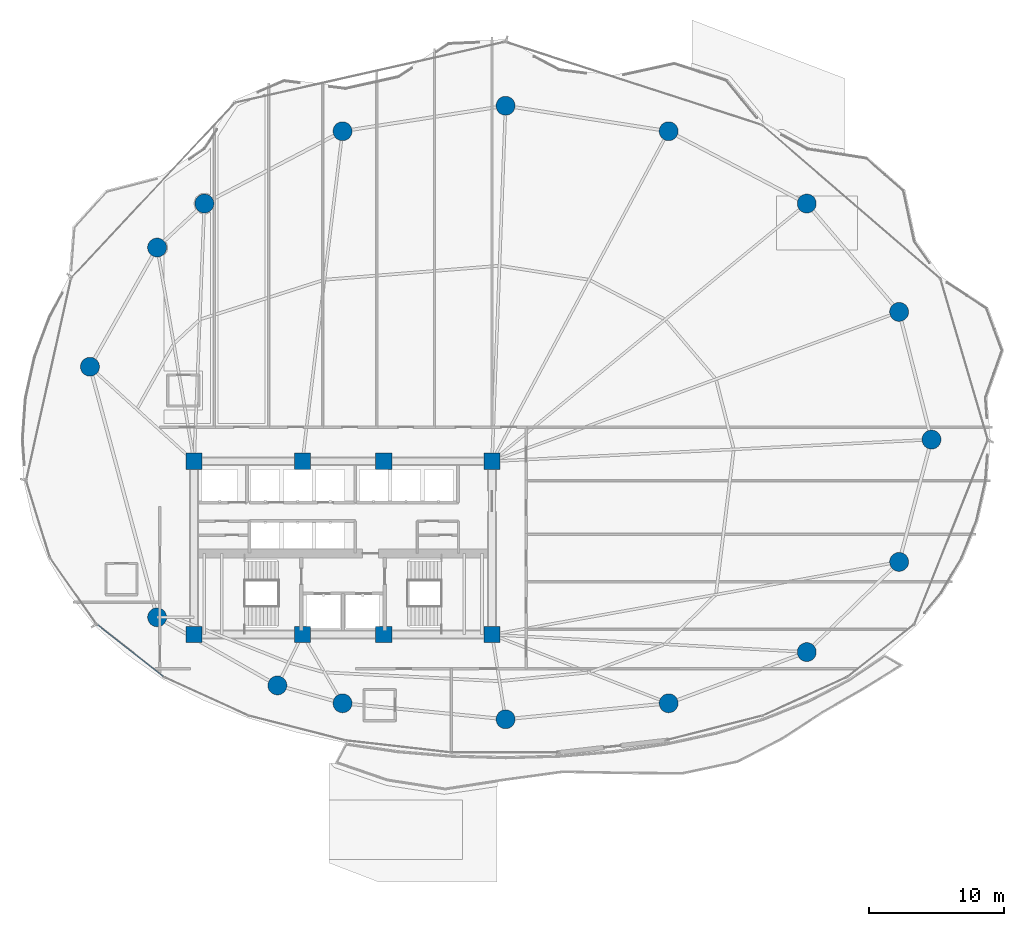
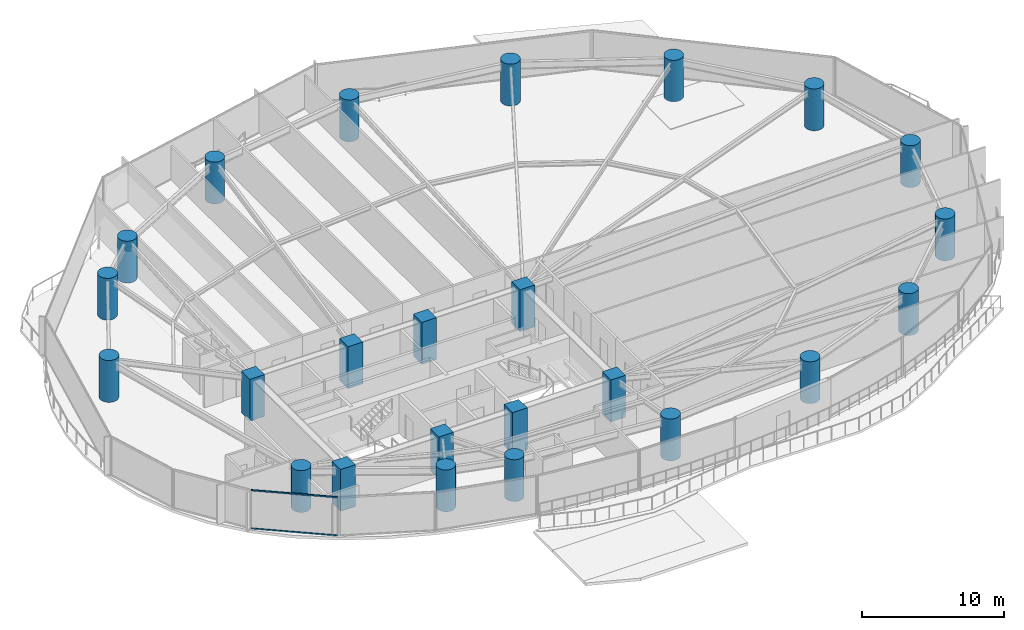
# One storey, part 1 of 32: 24 columns, 2 members, 1 element without a shape of its own.
"""IFC4 building model written with IfcOpenShell, lengths in metres."""

from ifc_helpers import new_model, si_unit, direction, frame, origin, origin_2d, place, context, subcontext, project, spatial, rectangle, hollow_rectangle, circle, extrude, material, layer, layer_set, material_profile, profile_set, type_object, element, aggregate, save


model = new_model("IFC4")

# Units and contexts
model_context = context("Model", 3, precision=1e-05, world=origin(), true_north=direction((0.0, 1.0)))
body_context = subcontext(model_context, "Body", "Model", "MODEL_VIEW")
ifc_project = project(units=[si_unit("LENGTHUNIT", "METRE"), si_unit("AREAUNIT", "SQUARE_METRE"), si_unit("VOLUMEUNIT", "CUBIC_METRE"), si_unit("PLANEANGLEUNIT", "RADIAN"), si_unit("MASSUNIT", "GRAM", prefix="KILO")], contexts=[model_context])

# Site, building, storey
site_placement = place(None, origin())
site = spatial("IfcSite", under=ifc_project, at=site_placement, CompositionType="ELEMENT")
building_placement = place(site_placement, origin())
building = spatial("IfcBuilding", under=site, at=building_placement, Name="Kazevale Care Tower and Concert Hall", CompositionType="ELEMENT")
storey_placement = place(building_placement, frame((0.0, 0.0, 24.0)))
storey = spatial("IfcBuildingStorey", under=building, at=storey_placement, Name="L05", CompositionType="ELEMENT", Elevation=24.0)

# Columns
ifc_material_1 = material(Name="Concrete C70", Category="concrete")
ifc_material_profile_1 = material_profile(ifc_material_1, rectangle(XDim=1.199951171875, YDim=1.199951171875, at=origin_2d()), Name="RC-SQ1200")
ifc_profile_set_1 = profile_set([ifc_material_profile_1], Name="Concrete C70")
column_type_1 = type_object("IfcColumnType", Name="Core Column SQ1200 C70", PredefinedType="COLUMN", material=ifc_profile_set_1)
for number, where, z_axis, x_axis, name in (
    (1, (22.0, 23.60009765625, 0.0), (0.0, 0.0, 1.0), (1.0, 0.0, 0.0), "col:L05:CC-01"),
    (2, (30.0, 23.60009765625, 0.0), (0.0, 0.0, 1.0), (1.0, 0.0, 0.0), "col:L05:CC-02"),
    (3, (36.0, 23.60009765625, 0.0), (0.0, 0.0, 1.0), (1.0, 0.0, 0.0), "col:L05:CC-03"),
    (4, (44.0, 23.60009765625, 0.0), (0.0, 0.0, 1.0), (1.0, 0.0, 0.0), "col:L05:CC-04"),
    (5, (44.0, 36.39990234375, 0.0), (0.0, 0.0, 1.0), (1.0, 0.0, 0.0), "col:L05:CC-05"),
    (6, (36.0, 36.39990234375, 0.0), (0.0, 0.0, 1.0), (1.0, 0.0, 0.0), "col:L05:CC-06"),
    (7, (30.0, 36.39990234375, 0.0), (0.0, 0.0, 1.0), (1.0, 0.0, 0.0), "col:L05:CC-07"),
    (8, (22.0, 36.39990234375, 0.0), (0.0, 0.0, 1.0), (1.0, 0.0, 0.0), "col:L05:CC-08"),
):
    element("IfcColumn", number, at=place(storey_placement, frame(where, z_axis=z_axis, x_axis=x_axis)), inside=storey, type_object=column_type_1, Name=name, PredefinedType="COLUMN", context=body_context, shape_type="SweptSolid", body=[
        extrude(rectangle(XDim=1.199951171875, YDim=1.199951171875, at=origin_2d()), origin(), (0.0, 0.0, 1.0), 3.60009765625),
    ])
ifc_material_profile_2 = material_profile(ifc_material_1, circle(Radius=0.699951171875, at=origin_2d()), Name="RC-CIR1400")
ifc_profile_set_2 = profile_set([ifc_material_profile_2], Name="Concrete C70")
column_type_2 = type_object("IfcColumnType", Name="Perimeter Column CIR1400 C70", PredefinedType="COLUMN", material=ifc_profile_set_2)
for number, where, z_axis, x_axis, name in (
    (9, (76.449951171875, 38.0, 0.0), (0.0, 0.0, 1.0), (1.0, 0.0, 0.0), "col:L05:PC-01"),
    (10, (74.06005859375, 47.429931640625, 0.0), (0.0, 0.0, 1.0), (1.0, 0.0, 0.0), "col:L05:PC-02"),
    (11, (67.239990234375, 55.429931640625, 0.0), (0.0, 0.0, 1.0), (1.0, 0.0, 0.0), "col:L05:PC-03"),
    (12, (57.0400390625, 60.77001953125, 0.0), (0.0, 0.0, 1.0), (1.0, 0.0, 0.0), "col:L05:PC-04"),
    (13, (45.0, 62.64990234375, 0.0), (0.0, 0.0, 1.0), (1.0, 0.0, 0.0), "col:L05:PC-05"),
    (14, (32.9599609375, 60.77001953125, 0.0), (0.0, 0.0, 1.0), (1.0, 0.0, 0.0), "col:L05:PC-06"),
    (15, (22.760009765625, 55.429931640625, 0.0), (0.0, 0.0, 1.0), (1.0, 0.0, 0.0), "col:L05:PC-07"),
    (16, (19.27001953125, 52.179931640625, 0.0), (0.0, 0.0, 1.0), (1.0, 0.0, 0.0), "col:L05:PC-08"),
    (17, (14.31005859375, 43.3798828125, 0.0), (0.0, 0.0, 1.0), (1.0, 0.0, 0.0), "col:L05:PC-09"),
    (18, (19.27001953125, 24.8798828125, 0.0), (0.0, 0.0, 1.0), (1.0, 0.0, 0.0), "col:L05:PC-10"),
    (19, (28.14990234375, 19.85009765625, 0.0), (0.0, 0.0, 1.0), (1.0, 0.0, 0.0), "col:L05:PC-11"),
    (20, (32.9599609375, 18.530029296875, 0.0), (0.0, 0.0, 1.0), (1.0, 0.0, 0.0), "col:L05:PC-12"),
    (21, (45.0, 17.35009765625, 0.0), (0.0, 0.0, 1.0), (1.0, 0.0, 0.0), "col:L05:PC-13"),
    (22, (57.0400390625, 18.530029296875, 0.0), (0.0, 0.0, 1.0), (1.0, 0.0, 0.0), "col:L05:PC-14"),
    (23, (67.239990234375, 22.31005859375, 0.0), (0.0, 0.0, 1.0), (1.0, 0.0, 0.0), "col:L05:PC-15"),
    (24, (74.06005859375, 28.969970703125, 0.0), (0.0, 0.0, 1.0), (1.0, 0.0, 0.0), "col:L05:PC-16"),
):
    element("IfcColumn", number, at=place(storey_placement, frame(where, z_axis=z_axis, x_axis=x_axis)), inside=storey, type_object=column_type_2, Name=name, PredefinedType="COLUMN", context=body_context, shape_type="SweptSolid", body=[
        extrude(circle(Radius=0.699951171875, at=origin_2d()), origin(), (0.0, 0.0, 1.0), 3.60009765625),
    ])

# Curtain wall, members
ifc_material_2 = material(Name="Aluminium 6063-T6 and Low-E Glass", Category="aluminium")
ifc_layer = layer(ifc_material_2, 0.179931640625)
ifc_layer_set = layer_set([ifc_layer], Name="Aluminium 6063-T6 and Low-E Glass")
curtain_wall_type = type_object("IfcCurtainWallType", Name="Sheltered Concave Balcony Curtain Wall CW-5", PredefinedType="NOTDEFINED", material=ifc_layer_set)
curtain_wall_placement = place(storey_placement, origin())
curtain_wall = element("IfcCurtainWall", 25, at=curtain_wall_placement, inside=storey, type_object=curtain_wall_type, Name="cw:L05:f10", PredefinedType="NOTDEFINED")
ifc_material_3 = material(Name="Aluminium 6063-T6", Category="aluminium")
ifc_material_profile_3 = material_profile(ifc_material_3, hollow_rectangle(XDim=0.074951171875, YDim=0.1201171875, WallThickness=0.00390625, at=origin_2d()), Name="ALU75x120x4")
ifc_profile_set_3 = profile_set([ifc_material_profile_3], Name="Aluminium 6063-T6")
member_type = type_object("IfcMemberType", Name="CW-5 Transom ALU75x120x4", PredefinedType="USERDEFINED", material=ifc_profile_set_3)
member_1_placement = place(storey_placement, frame((19.718994140625, 20.513427734375, 0.03759765625), z_axis=(-0.78633897536, 0.617795286344, 0.0), x_axis=(-0.617795286344, -0.78633897536, 0.0)))
member_1 = element("IfcMember", 26, at=member_1_placement, type_object=member_type, Name="CW-5 transom 1.1", ObjectType="TRANSOM", PredefinedType="USERDEFINED", context=body_context, shape_type="SweptSolid", body=[
    extrude(hollow_rectangle(XDim=0.074951171875, YDim=0.1201171875, WallThickness=0.00390625, at=origin_2d()), origin(), (0.0, 0.0, 1.0), 6.15771484375),
])
member_2_placement = place(storey_placement, frame((19.718994140625, 20.513427734375, 3.322509765625), z_axis=(-0.78633897536, 0.617795286344, 0.0), x_axis=(-0.617795286344, -0.78633897536, 0.0)))
member_2 = element("IfcMember", 27, at=member_2_placement, type_object=member_type, Name="CW-5 transom 1.2", ObjectType="TRANSOM", PredefinedType="USERDEFINED", context=body_context, shape_type="SweptSolid", body=[
    extrude(hollow_rectangle(XDim=0.074951171875, YDim=0.1201171875, WallThickness=0.00390625, at=origin_2d()), origin(), (0.0, 0.0, 1.0), 6.15771484375),
])
aggregate(curtain_wall, [member_1, member_2])

save(model, "model.ifc")
